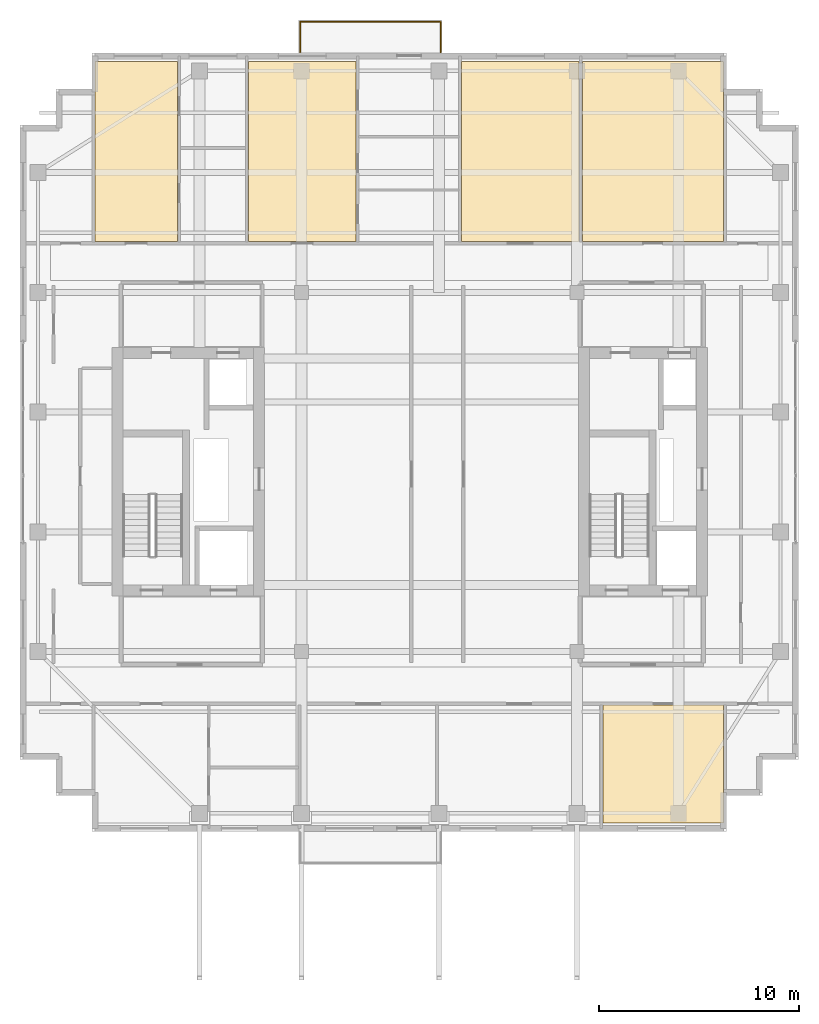
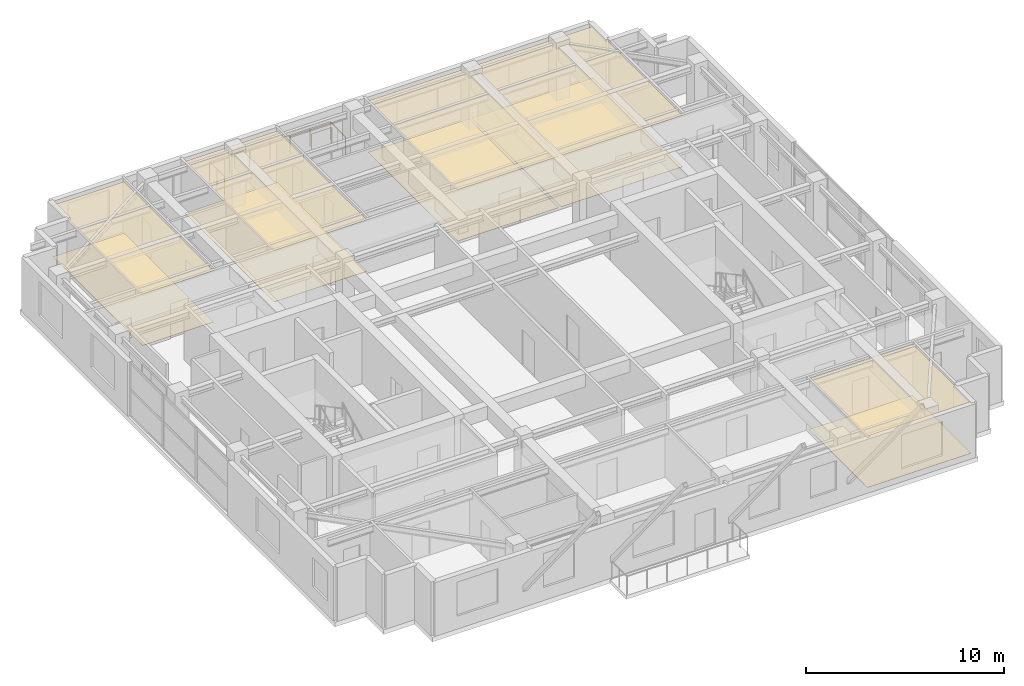
# One storey, part 14 of 14: 10 coverings, 1 railing.
"""IFC4 building model written with IfcOpenShell, lengths in metres."""

from ifc_helpers import new_model, si_unit, direction, frame, origin, origin_2d, place, context, subcontext, project, spatial, polyline, circle, outline, extrude, material, layer, layer_set, type_object, element, save


model = new_model("IFC4")

# Units and contexts
model_context = context("Model", 3, precision=1e-05, world=origin(), true_north=direction((0.0, 1.0)))
body_context = subcontext(model_context, "Body", "Model", "MODEL_VIEW")
ifc_project = project(units=[si_unit("LENGTHUNIT", "METRE"), si_unit("AREAUNIT", "SQUARE_METRE"), si_unit("VOLUMEUNIT", "CUBIC_METRE"), si_unit("PLANEANGLEUNIT", "RADIAN"), si_unit("MASSUNIT", "GRAM", prefix="KILO")], contexts=[model_context])

# Site, building, storey
site_placement = place(None, origin())
site = spatial("IfcSite", under=ifc_project, at=site_placement, CompositionType="ELEMENT")
building_placement = place(site_placement, origin())
building = spatial("IfcBuilding", under=site, at=building_placement, Name="Khoralis Quay Care Tower", CompositionType="ELEMENT")
storey_placement = place(building_placement, frame((0.0, 0.0, 274.5)))
storey = spatial("IfcBuildingStorey", under=building, at=storey_placement, Name="L72", CompositionType="ELEMENT", Elevation=274.5)

# Coverings
ifc_material_1 = material(Name="Mineral-fibre acoustic ceiling tile")
ifc_layer_1 = layer(ifc_material_1, 0.01806640625)
ifc_layer_set_1 = layer_set([ifc_layer_1], Name="Mineral-fibre acoustic ceiling tile")
covering_type_1 = type_object("IfcCoveringType", Name="COV-CEIL-AC18", PredefinedType="CEILING", material=ifc_layer_set_1)
covering_1_placement = place(storey_placement, frame((0.0, 0.0, 3.172119140625)))
element("IfcCovering", 1, at=covering_1_placement, inside=storey, type_object=covering_type_1, Name="Suspended Acoustic Ceiling SP-L72-SB-COM3", PredefinedType="CEILING", context=body_context, shape_type="SweptSolid", body=[
    extrude(outline(polyline([(32.199951171875, 3.419921875), (38.239990234375, 3.419921875), (38.239990234375, 9.320068359375), (32.199951171875, 9.320068359375), (32.199951171875, 3.419921875)])), origin(), (0.0, 0.0, 1.0), 0.017822265625),
])
covering_2_placement = place(storey_placement, frame((0.0, 0.0, 3.172119140625)))
element("IfcCovering", 2, at=covering_2_placement, inside=storey, type_object=covering_type_1, Name="Suspended Acoustic Ceiling SP-L72-NB-STU0", PredefinedType="CEILING", context=body_context, shape_type="SweptSolid", body=[
    extrude(outline(polyline([(6.760009765625, 32.5400390625), (10.90087890625, 32.5400390625), (10.90087890625, 41.580078125), (6.760009765625, 41.580078125), (6.760009765625, 32.5400390625)])), origin(), (0.0, 0.0, 1.0), 0.017822265625),
])
covering_3_placement = place(storey_placement, frame((0.0, 0.0, 3.172119140625)))
element("IfcCovering", 3, at=covering_3_placement, inside=storey, type_object=covering_type_1, Name="Suspended Acoustic Ceiling SP-L72-NB-LIV1", PredefinedType="CEILING", context=body_context, shape_type="SweptSolid", body=[
    extrude(outline(polyline([(14.43994140625, 32.5400390625), (19.839111328125, 32.5400390625), (19.839111328125, 41.580078125), (14.43994140625, 41.580078125), (14.43994140625, 32.5400390625)])), origin(), (0.0, 0.0, 1.0), 0.017822265625),
])
covering_4_placement = place(storey_placement, frame((0.0, 0.0, 3.172119140625)))
element("IfcCovering", 4, at=covering_4_placement, inside=storey, type_object=covering_type_1, Name="Suspended Acoustic Ceiling SP-L72-NB-COM2", PredefinedType="CEILING", context=body_context, shape_type="SweptSolid", body=[
    extrude(outline(polyline([(25.1298828125, 32.5400390625), (31.010009765625, 32.5400390625), (31.010009765625, 41.580078125), (25.1298828125, 41.580078125), (25.1298828125, 32.5400390625)])), origin(), (0.0, 0.0, 1.0), 0.017822265625),
])
covering_5_placement = place(storey_placement, frame((0.0, 0.0, 3.172119140625)))
element("IfcCovering", 5, at=covering_5_placement, inside=storey, type_object=covering_type_1, Name="Suspended Acoustic Ceiling SP-L72-NB-COM3", PredefinedType="CEILING", context=body_context, shape_type="SweptSolid", body=[
    extrude(outline(polyline([(31.169921875, 32.5400390625), (38.239990234375, 32.5400390625), (38.239990234375, 41.580078125), (31.169921875, 41.580078125), (31.169921875, 32.5400390625)])), origin(), (0.0, 0.0, 1.0), 0.017822265625),
])
ifc_material_2 = material(Name="Porcelain and non-slip vinyl flooring")
ifc_layer_2 = layer(ifc_material_2, 0.02001953125)
ifc_layer_set_2 = layer_set([ifc_layer_2], Name="Porcelain and non-slip vinyl flooring")
covering_type_2 = type_object("IfcCoveringType", Name="COV-FLOOR-20", PredefinedType="FLOORING", material=ifc_layer_set_2)
covering_6_placement = place(storey_placement, origin())
element("IfcCovering", 6, at=covering_6_placement, inside=storey, type_object=covering_type_2, Name="Resilient Healthcare Flooring SP-L72-SB-COM3", PredefinedType="FLOORING", context=body_context, shape_type="SweptSolid", body=[
    extrude(outline(polyline([(32.199951171875, 3.419921875), (38.239990234375, 3.419921875), (38.239990234375, 9.320068359375), (32.199951171875, 9.320068359375), (32.199951171875, 3.419921875)])), origin(), (0.0, 0.0, 1.0), 0.02001953125),
])
covering_7_placement = place(storey_placement, origin())
element("IfcCovering", 7, at=covering_7_placement, inside=storey, type_object=covering_type_2, Name="Resilient Healthcare Flooring SP-L72-NB-STU0", PredefinedType="FLOORING", context=body_context, shape_type="SweptSolid", body=[
    extrude(outline(polyline([(6.760009765625, 32.5400390625), (10.90087890625, 32.5400390625), (10.90087890625, 41.580078125), (6.760009765625, 41.580078125), (6.760009765625, 32.5400390625)])), origin(), (0.0, 0.0, 1.0), 0.02001953125),
])
covering_8_placement = place(storey_placement, origin())
element("IfcCovering", 8, at=covering_8_placement, inside=storey, type_object=covering_type_2, Name="Resilient Healthcare Flooring SP-L72-NB-LIV1", PredefinedType="FLOORING", context=body_context, shape_type="SweptSolid", body=[
    extrude(outline(polyline([(14.43994140625, 32.5400390625), (19.839111328125, 32.5400390625), (19.839111328125, 41.580078125), (14.43994140625, 41.580078125), (14.43994140625, 32.5400390625)])), origin(), (0.0, 0.0, 1.0), 0.02001953125),
])
covering_9_placement = place(storey_placement, origin())
element("IfcCovering", 9, at=covering_9_placement, inside=storey, type_object=covering_type_2, Name="Resilient Healthcare Flooring SP-L72-NB-COM2", PredefinedType="FLOORING", context=body_context, shape_type="SweptSolid", body=[
    extrude(outline(polyline([(25.1298828125, 32.5400390625), (31.010009765625, 32.5400390625), (31.010009765625, 41.580078125), (25.1298828125, 41.580078125), (25.1298828125, 32.5400390625)])), origin(), (0.0, 0.0, 1.0), 0.02001953125),
])
covering_10_placement = place(storey_placement, origin())
element("IfcCovering", 10, at=covering_10_placement, inside=storey, type_object=covering_type_2, Name="Resilient Healthcare Flooring SP-L72-NB-COM3", PredefinedType="FLOORING", context=body_context, shape_type="SweptSolid", body=[
    extrude(outline(polyline([(31.169921875, 32.5400390625), (38.239990234375, 32.5400390625), (38.239990234375, 41.580078125), (31.169921875, 41.580078125), (31.169921875, 32.5400390625)])), origin(), (0.0, 0.0, 1.0), 0.02001953125),
])

# Railing
ifc_material_3 = material(Name="Pale anodised aluminium", Category="aluminium")
railing_type = type_object("IfcRailingType", Name="RL-BALUST-1150", PredefinedType="BALUSTRADE", material=ifc_material_3)
railing_placement = place(storey_placement, frame((17.030029296875, 42.0400390625, -0.06005859375)))
element("IfcRailing", 11, at=railing_placement, inside=storey, type_object=railing_type, Name="L72 Senior Loggia Balcony Guard", PredefinedType="BALUSTRADE", context=body_context, shape_type="SweptSolid", body=[
    extrude(circle(Radius=0.02392578125, at=origin_2d()), frame((0.0, 0.0, 1.1259765625), z_axis=(0.0, 1.0, 0.0), x_axis=(-1.0, 0.0, 0.0)), (0.0, 0.0, 1.0), 1.530029296875),
    extrude(circle(Radius=0.02392578125, at=origin_2d()), frame((0.0, 1.530029296875, 1.1259765625), z_axis=(1.0, 0.0, 0.0), x_axis=(0.0, 1.0, 0.0)), (0.0, 0.0, 1.0), 7.0400390625),
    extrude(circle(Radius=0.02392578125, at=origin_2d()), frame((7.0400390625, 1.530029296875, 1.1259765625), z_axis=(0.0, -1.0, 0.0), x_axis=(1.0, 0.0, 0.0)), (0.0, 0.0, 1.0), 1.530029296875),
    extrude(circle(Radius=0.02099609375, at=origin_2d()), origin(), (0.0, 0.0, 1.0), 1.101806640625),
    extrude(circle(Radius=0.02099609375, at=origin_2d()), frame((0.0, 0.76513671875, 0.0)), (0.0, 0.0, 1.0), 1.101806640625),
    extrude(circle(Radius=0.02099609375, at=origin_2d()), frame((0.0, 1.530029296875, 0.0)), (0.0, 0.0, 1.0), 1.101806640625),
    extrude(circle(Radius=0.02099609375, at=origin_2d()), frame((1.17333984375, 1.530029296875, 0.0)), (0.0, 0.0, 1.0), 1.101806640625),
    extrude(circle(Radius=0.02099609375, at=origin_2d()), frame((2.3466796875, 1.530029296875, 0.0)), (0.0, 0.0, 1.0), 1.101806640625),
    extrude(circle(Radius=0.02099609375, at=origin_2d()), frame((3.52001953125, 1.530029296875, 0.0)), (0.0, 0.0, 1.0), 1.101806640625),
    extrude(circle(Radius=0.02099609375, at=origin_2d()), frame((4.693359375, 1.530029296875, 0.0)), (0.0, 0.0, 1.0), 1.101806640625),
    extrude(circle(Radius=0.02099609375, at=origin_2d()), frame((5.86669921875, 1.530029296875, 0.0)), (0.0, 0.0, 1.0), 1.101806640625),
    extrude(circle(Radius=0.02099609375, at=origin_2d()), frame((7.0400390625, 1.530029296875, 0.0)), (0.0, 0.0, 1.0), 1.101806640625),
    extrude(circle(Radius=0.02099609375, at=origin_2d()), frame((7.0400390625, 0.76513671875, 0.0)), (0.0, 0.0, 1.0), 1.101806640625),
    extrude(circle(Radius=0.02099609375, at=origin_2d()), frame((7.0400390625, 0.0, 0.0)), (0.0, 0.0, 1.0), 1.101806640625),
])

save(model, "model.ifc")
